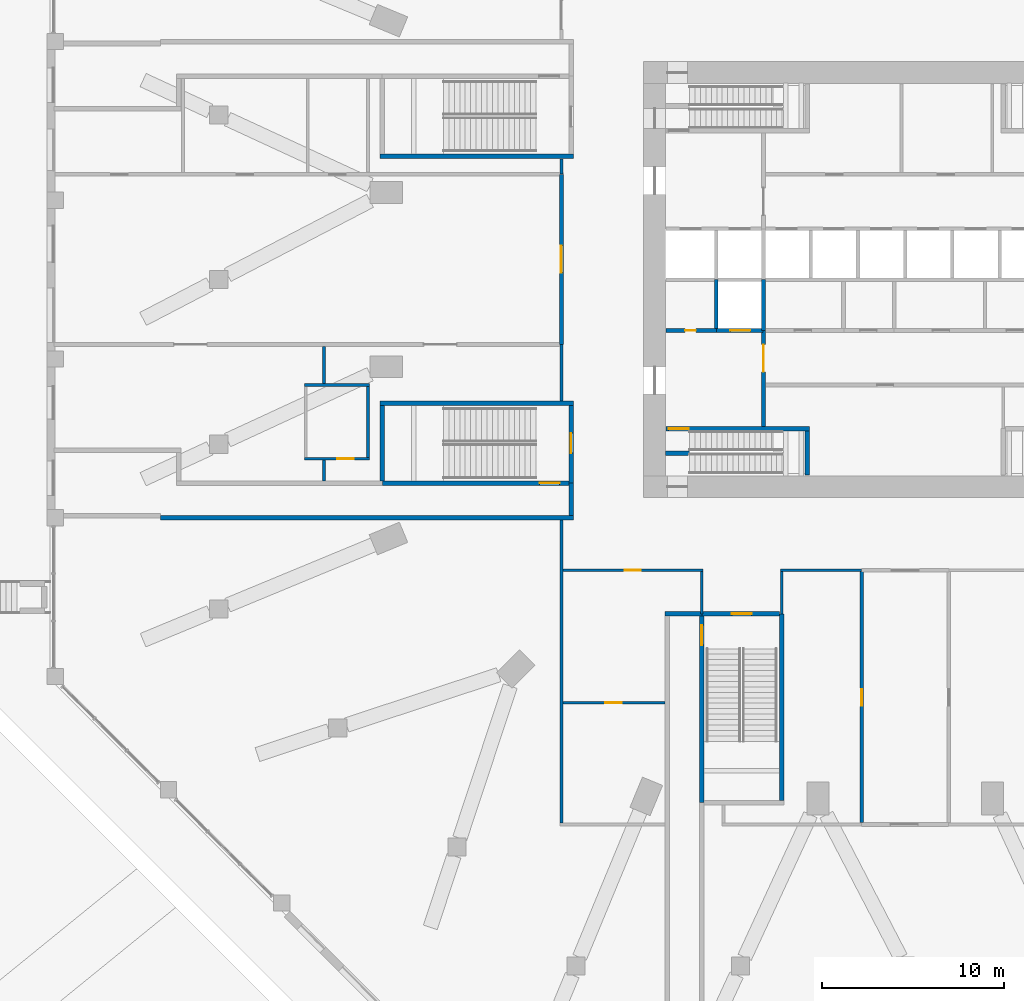
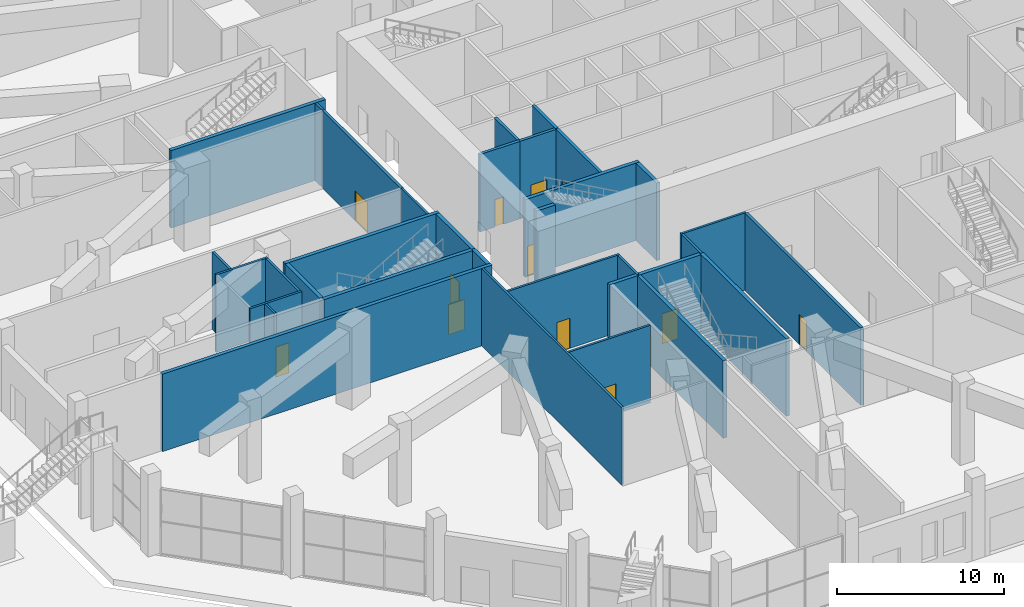
# One storey, part 21 of 36: 34 walls, 13 doors, 13 openings.
"""IFC4 building model written with IfcOpenShell, lengths in metres."""

from ifc_helpers import new_model, si_unit, direction, frame, frame_2d, origin, place, context, subcontext, project, spatial, rectangle, extrude, material, layer, layer_set, type_object, element, fill, save


model = new_model("IFC4")

# Units and contexts
model_context = context("Model", 3, precision=1e-05, world=origin(), true_north=direction((0.0, 1.0)))
body_context = subcontext(model_context, "Body", "Model", "MODEL_VIEW")
ifc_project = project(units=[si_unit("LENGTHUNIT", "METRE"), si_unit("AREAUNIT", "SQUARE_METRE"), si_unit("VOLUMEUNIT", "CUBIC_METRE"), si_unit("PLANEANGLEUNIT", "RADIAN"), si_unit("MASSUNIT", "GRAM", prefix="KILO")], contexts=[model_context])

# Site, building, storey
site_placement = place(None, origin())
site = spatial("IfcSite", under=ifc_project, at=site_placement, CompositionType="ELEMENT")
building_placement = place(site_placement, origin())
building = spatial("IfcBuilding", under=site, at=building_placement, Name="Msitu Wima Residences", CompositionType="ELEMENT")
storey_placement = place(building_placement, origin())
storey = spatial("IfcBuildingStorey", under=building, at=storey_placement, Name="L00", CompositionType="ELEMENT", Elevation=0.0)

# Wall, opening, door
ifc_material_1 = material(Name="Plaster")
ifc_layer_1 = layer(ifc_material_1, 0.011962890625, Name="Plaster")
ifc_material_2 = material(Name="Concrete blockwork", Category="masonry")
ifc_layer_2 = layer(ifc_material_2, 0.176025390625, Name="Concrete blockwork")
ifc_layer_3 = layer(ifc_material_1, 0.011962890625, Name="Plaster")
ifc_layer_set_1 = layer_set([ifc_layer_1, ifc_layer_2, ifc_layer_3], Name="Concrete blockwork")
wall_type_1 = type_object("IfcWallType", Name="Corridor wall FW200", PredefinedType="PARTITIONING", material=ifc_layer_set_1)
wall_1_placement = place(storey_placement, frame((-18.927978515625, -3.5712890625, 0.0), z_axis=(0.0, 0.0, 1.0), x_axis=(0.0, 1.0, 0.0)))
wall_1 = element("IfcWall", 1, at=wall_1_placement, inside=storey, type_object=wall_type_1, Name="Corridor wall", PredefinedType="PARTITIONING", context=body_context, shape_type="SweptSolid", body=[
    extrude(rectangle(XDim=9.371337890625, YDim=0.199951171875, at=frame_2d((4.685546875, 0.0))), origin(), (0.0, 0.0, 1.0), 5.64990234375),
])
opening_1_placement = place(wall_1_placement, frame((3.949951171875, 0.0, 0.0)))
opening_1 = element("IfcOpeningElement", 2, at=opening_1_placement, cuts=wall_1, Name="Opening D00.050", PredefinedType="OPENING", context=body_context, shape_type="SweptSolid", body=[
    extrude(rectangle(XDim=1.5, YDim=2.199951171875, at=frame_2d((0.75, 1.10009765625))), frame((0.0, 0.10986328125, 0.0), z_axis=(0.0, -1.0, 0.0), x_axis=(1.0, 0.0, 0.0)), (0.0, 0.0, 1.0), 0.219970703125),
])
ifc_material_3 = material(Name="Timber double door", Category="wood")
door_type_1 = type_object("IfcDoorType", Name="Double door D04 1500x2200", OperationType="DOUBLE_DOOR_SINGLE_SWING", PredefinedType="DOOR", material=ifc_material_3)
door_1_placement = place(opening_1_placement, origin())
door_1 = element("IfcDoor", 3, at=door_1_placement, inside=storey, type_object=door_type_1, Name="Double door", OperationType="DOUBLE_DOOR_SINGLE_SWING", OverallHeight=2.199951171875, OverallWidth=1.5, PredefinedType="DOOR", context=body_context, shape_type="SweptSolid", body=[
    extrude(rectangle(XDim=1.5, YDim=2.199951171875, at=frame_2d((0.75, 1.10009765625))), frame((0.0, 0.02490234375, 0.0), z_axis=(0.0, -1.0, 0.0), x_axis=(1.0, 0.0, 0.0)), (0.0, 0.0, 1.0), 0.050048828125),
])
fill(opening_1, door_1)

wall_2_placement = place(storey_placement, frame((-7.800048828125, -8.074951171875, 0.0), z_axis=(0.0, 0.0, 1.0), x_axis=(0.0, 1.0, 0.0)))
wall_2 = element("IfcWall", 4, at=wall_2_placement, inside=storey, type_object=wall_type_1, Name="Corridor wall", PredefinedType="PARTITIONING", context=body_context, shape_type="SweptSolid", body=[
    extrude(rectangle(XDim=5.27490234375, YDim=0.199951171875, at=frame_2d((2.637451171875, 0.0))), origin(), (0.0, 0.0, 1.0), 5.64990234375),
])
opening_2_placement = place(wall_2_placement, frame((3.0, 0.0, 0.0)))
opening_2 = element("IfcOpeningElement", 5, at=opening_2_placement, cuts=wall_2, Name="Opening D00.026", PredefinedType="OPENING", context=body_context, shape_type="SweptSolid", body=[
    extrude(rectangle(XDim=1.5, YDim=2.39990234375, at=frame_2d((0.75, 1.199951171875))), frame((0.0, 0.10986328125, 0.0), z_axis=(0.0, -1.0, 0.0), x_axis=(1.0, 0.0, 0.0)), (0.0, 0.0, 1.0), 0.219970703125),
])
ifc_material_4 = material(Name="Steel framed glazed door, fire resisting", Category="steel")
door_type_2 = type_object("IfcDoorType", Name="Lobby door D07 1500x2400", OperationType="DOUBLE_DOOR_SINGLE_SWING", PredefinedType="DOOR", material=ifc_material_4)
door_2_placement = place(opening_2_placement, origin())
door_2 = element("IfcDoor", 6, at=door_2_placement, inside=storey, type_object=door_type_2, Name="Lobby door", OperationType="DOUBLE_DOOR_SINGLE_SWING", OverallHeight=2.39990234375, OverallWidth=1.5, PredefinedType="DOOR", context=body_context, shape_type="SweptSolid", body=[
    extrude(rectangle(XDim=1.5, YDim=2.39990234375, at=frame_2d((0.75, 1.199951171875))), frame((0.0, 0.02490234375, 0.0), z_axis=(0.0, -1.0, 0.0), x_axis=(1.0, 0.0, 0.0)), (0.0, 0.0, 1.0), 0.050048828125),
])
fill(opening_2, door_2)

wall_3_placement = place(storey_placement, frame((-2.39990234375, -29.89990234375, 0.0), z_axis=(0.0, 0.0, 1.0), x_axis=(0.0, 1.0, 0.0)))
wall_3 = element("IfcWall", 7, at=wall_3_placement, inside=storey, type_object=wall_type_1, Name="Corridor wall", PredefinedType="PARTITIONING", context=body_context, shape_type="SweptSolid", body=[
    extrude(rectangle(XDim=13.824951171875, YDim=0.199951171875, at=frame_2d((6.91259765625, 0.0))), origin(), (0.0, 0.0, 1.0), 5.64990234375),
])
opening_3_placement = place(wall_3_placement, frame((6.449951171875, 0.0, 0.0)))
opening_3 = element("IfcOpeningElement", 8, at=opening_3_placement, cuts=wall_3, Name="Opening D00.071", PredefinedType="OPENING", context=body_context, shape_type="SweptSolid", body=[
    extrude(rectangle(XDim=0.89990234375, YDim=2.199951171875, at=frame_2d((0.449951171875, 1.10009765625))), frame((0.0, 0.10986328125, 0.0), z_axis=(0.0, -1.0, 0.0), x_axis=(1.0, 0.0, 0.0)), (0.0, 0.0, 1.0), 0.219970703125),
])
ifc_material_5 = material(Name="Timber flush door", Category="wood")
door_type_3 = type_object("IfcDoorType", Name="Service door D05 900x2200", OperationType="SINGLE_SWING_LEFT", PredefinedType="DOOR", material=ifc_material_5)
door_3_placement = place(opening_3_placement, origin())
door_3 = element("IfcDoor", 9, at=door_3_placement, inside=storey, type_object=door_type_3, Name="Service door", OperationType="SINGLE_SWING_LEFT", OverallHeight=2.199951171875, OverallWidth=0.89990234375, PredefinedType="DOOR", context=body_context, shape_type="SweptSolid", body=[
    extrude(rectangle(XDim=0.89990234375, YDim=2.199951171875, at=frame_2d((0.449951171875, 1.10009765625))), frame((0.0, 0.02490234375, 0.0), z_axis=(0.0, -1.0, 0.0), x_axis=(1.0, 0.0, 0.0)), (0.0, 0.0, 1.0), 0.050048828125),
])
fill(opening_3, door_3)

ifc_layer_4 = layer(ifc_material_1, 0.011962890625, Name="Plaster")
ifc_layer_5 = layer(ifc_material_2, 0.1259765625, Name="Concrete blockwork")
ifc_layer_6 = layer(ifc_material_1, 0.011962890625, Name="Plaster")
ifc_layer_set_2 = layer_set([ifc_layer_4, ifc_layer_5, ifc_layer_6], Name="Concrete blockwork")
wall_type_2 = type_object("IfcWallType", Name="Partition PW150", PredefinedType="PARTITIONING", material=ifc_layer_set_2)
wall_4_placement = place(storey_placement, frame((-33.074951171875, -9.864013671875, 0.0), z_axis=(0.0, 0.0, 1.0), x_axis=(1.0, 0.0, 0.0)))
wall_4 = element("IfcWall", 10, at=wall_4_placement, inside=storey, type_object=wall_type_2, Name="Partition", PredefinedType="PARTITIONING", context=body_context, shape_type="SweptSolid", body=[
    extrude(rectangle(XDim=3.574951171875, YDim=0.14990234375, at=frame_2d((1.78759765625, 0.0))), origin(), (0.0, 0.0, 1.0), 5.64990234375),
])
opening_4_placement = place(wall_4_placement, frame((1.800048828125, 0.0, 0.0)))
opening_4 = element("IfcOpeningElement", 11, at=opening_4_placement, cuts=wall_4, Name="Opening D00.066", PredefinedType="OPENING", context=body_context, shape_type="SweptSolid", body=[
    extrude(rectangle(XDim=0.89990234375, YDim=2.199951171875, at=frame_2d((0.449951171875, 1.10009765625))), frame((0.0, 0.0849609375, 0.0), z_axis=(0.0, -1.0, 0.0), x_axis=(1.0, 0.0, 0.0)), (0.0, 0.0, 1.0), 0.169921875),
])
ifc_material_6 = material(Name="Timber flush door, moisture resistant", Category="wood")
door_type_4 = type_object("IfcDoorType", Name="Bathroom door D03 900x2200", OperationType="SINGLE_SWING_LEFT", PredefinedType="DOOR", material=ifc_material_6)
door_4_placement = place(opening_4_placement, origin())
door_4 = element("IfcDoor", 12, at=door_4_placement, inside=storey, type_object=door_type_4, Name="Bathroom door", OperationType="SINGLE_SWING_RIGHT", OverallHeight=2.199951171875, OverallWidth=0.89990234375, PredefinedType="DOOR", context=body_context, shape_type="SweptSolid", body=[
    extrude(rectangle(XDim=0.89990234375, YDim=2.199951171875, at=frame_2d((0.449951171875, 1.10009765625))), frame((0.0, 0.02490234375, 0.0), z_axis=(0.0, -1.0, 0.0), x_axis=(1.0, 0.0, 0.0)), (0.0, 0.0, 1.0), 0.050048828125),
])
fill(opening_4, door_4)

# Walls
wall_5_placement = place(storey_placement, frame((-33.074951171875, -5.800048828125, 0.0), z_axis=(0.0, 0.0, 1.0), x_axis=(1.0, 0.0, 0.0)))
element("IfcWall", 13, at=wall_5_placement, inside=storey, type_object=wall_type_2, Name="Partition", PredefinedType="PARTITIONING", context=body_context, shape_type="SweptSolid", body=[
    extrude(rectangle(XDim=3.574951171875, YDim=0.14990234375, at=frame_2d((1.78759765625, 0.0))), origin(), (0.0, 0.0, 1.0), 5.64990234375),
])
wall_6_placement = place(storey_placement, frame((-32.0, -11.074951171875, 0.0), z_axis=(0.0, 0.0, 1.0), x_axis=(0.0, 1.0, 0.0)))
element("IfcWall", 14, at=wall_6_placement, inside=storey, type_object=wall_type_2, Name="Partition", PredefinedType="PARTITIONING", context=body_context, shape_type="SweptSolid", body=[
    extrude(rectangle(XDim=1.135986328125, YDim=0.14990234375, at=frame_2d((0.56787109375, 0.0))), origin(), (0.0, 0.0, 1.0), 5.64990234375),
])
wall_7_placement = place(storey_placement, frame((-32.0, -5.72509765625, 0.0), z_axis=(0.0, 0.0, 1.0), x_axis=(0.0, 1.0, 0.0)))
element("IfcWall", 15, at=wall_7_placement, inside=storey, type_object=wall_type_2, Name="Partition", PredefinedType="PARTITIONING", context=body_context, shape_type="SweptSolid", body=[
    extrude(rectangle(XDim=2.053955078125, YDim=0.14990234375, at=frame_2d((1.02685546875, 0.0))), origin(), (0.0, 0.0, 1.0), 5.64990234375),
])
wall_8_placement = place(storey_placement, frame((-29.574951171875, -9.7890625, 0.0), z_axis=(0.0, 0.0, 1.0), x_axis=(0.0, 1.0, 0.0)))
element("IfcWall", 16, at=wall_8_placement, inside=storey, type_object=wall_type_2, Name="Partition", PredefinedType="PARTITIONING", context=body_context, shape_type="SweptSolid", body=[
    extrude(rectangle(XDim=3.9140625, YDim=0.14990234375, at=frame_2d((1.95703125, 0.0))), origin(), (0.0, 0.0, 1.0), 5.64990234375),
])
wall_9_placement = place(storey_placement, frame((-18.927978515625, -29.925048828125, 0.0), z_axis=(0.0, 0.0, 1.0), x_axis=(0.0, 1.0, 0.0)))
element("IfcWall", 17, at=wall_9_placement, inside=storey, type_object=wall_type_2, Name="Partition", PredefinedType="PARTITIONING", context=body_context, shape_type="SweptSolid", body=[
    extrude(rectangle(XDim=16.699951171875, YDim=0.14990234375, at=frame_2d((8.35009765625, 0.0))), origin(), (0.0, 0.0, 1.0), 5.64990234375),
])

# Wall, opening, door
wall_10_placement = place(storey_placement, frame((-18.85302734375, -23.300048828125, 0.0), z_axis=(0.0, 0.0, 1.0), x_axis=(1.0, 0.0, 0.0)))
wall_10 = element("IfcWall", 18, at=wall_10_placement, inside=storey, type_object=wall_type_2, Name="Partition", PredefinedType="PARTITIONING", context=body_context, shape_type="SweptSolid", body=[
    extrude(rectangle(XDim=5.6279296875, YDim=0.14990234375, at=frame_2d((2.81396484375, 0.0))), origin(), (0.0, 0.0, 1.0), 5.64990234375),
])
opening_5_placement = place(wall_10_placement, frame((2.35009765625, 0.0, 0.0)))
opening_5 = element("IfcOpeningElement", 19, at=opening_5_placement, cuts=wall_10, Name="Opening D00.070", PredefinedType="OPENING", context=body_context, shape_type="SweptSolid", body=[
    extrude(rectangle(XDim=0.89990234375, YDim=2.199951171875, at=frame_2d((0.449951171875, 1.10009765625))), frame((0.0, 0.0849609375, 0.0), z_axis=(0.0, -1.0, 0.0), x_axis=(1.0, 0.0, 0.0)), (0.0, 0.0, 1.0), 0.169921875),
])
door_5_placement = place(opening_5_placement, origin())
door_5 = element("IfcDoor", 20, at=door_5_placement, inside=storey, type_object=door_type_3, Name="Service door", OperationType="SINGLE_SWING_RIGHT", OverallHeight=2.199951171875, OverallWidth=0.89990234375, PredefinedType="DOOR", context=body_context, shape_type="SweptSolid", body=[
    extrude(rectangle(XDim=0.89990234375, YDim=2.199951171875, at=frame_2d((0.449951171875, 1.10009765625))), frame((0.0, 0.02490234375, 0.0), z_axis=(0.0, -1.0, 0.0), x_axis=(1.0, 0.0, 0.0)), (0.0, 0.0, 1.0), 0.050048828125),
])
fill(opening_5, door_5)

wall_11_placement = place(storey_placement, frame((-18.85302734375, -16.0, 0.0), z_axis=(0.0, 0.0, 1.0), x_axis=(1.0, 0.0, 0.0)))
wall_11 = element("IfcWall", 21, at=wall_11_placement, inside=storey, type_object=wall_type_2, Name="Partition", PredefinedType="PARTITIONING", context=body_context, shape_type="SweptSolid", body=[
    extrude(rectangle(XDim=7.72802734375, YDim=0.14990234375, at=frame_2d((3.864013671875, 0.0))), origin(), (0.0, 0.0, 1.0), 5.64990234375),
])
opening_6_placement = place(wall_11_placement, frame((3.39990234375, 0.0, 0.0)))
opening_6 = element("IfcOpeningElement", 22, at=opening_6_placement, cuts=wall_11, Name="Opening D00.069", PredefinedType="OPENING", context=body_context, shape_type="SweptSolid", body=[
    extrude(rectangle(XDim=0.89990234375, YDim=2.199951171875, at=frame_2d((0.449951171875, 1.10009765625))), frame((0.0, 0.0849609375, 0.0), z_axis=(0.0, -1.0, 0.0), x_axis=(1.0, 0.0, 0.0)), (0.0, 0.0, 1.0), 0.169921875),
])
door_6_placement = place(opening_6_placement, origin())
door_6 = element("IfcDoor", 23, at=door_6_placement, inside=storey, type_object=door_type_3, Name="Service door", OperationType="SINGLE_SWING_LEFT", OverallHeight=2.199951171875, OverallWidth=0.89990234375, PredefinedType="DOOR", context=body_context, shape_type="SweptSolid", body=[
    extrude(rectangle(XDim=0.89990234375, YDim=2.199951171875, at=frame_2d((0.449951171875, 1.10009765625))), frame((0.0, 0.02490234375, 0.0), z_axis=(0.0, -1.0, 0.0), x_axis=(1.0, 0.0, 0.0)), (0.0, 0.0, 1.0), 0.050048828125),
])
fill(opening_6, door_6)

# Walls
wall_12_placement = place(storey_placement, frame((-18.927978515625, -6.675048828125, 0.0), z_axis=(0.0, 0.0, 1.0), x_axis=(0.0, 1.0, 0.0)))
element("IfcWall", 24, at=wall_12_placement, inside=storey, type_object=wall_type_2, Name="Partition", PredefinedType="PARTITIONING", context=body_context, shape_type="SweptSolid", body=[
    extrude(rectangle(XDim=3.103759765625, YDim=0.14990234375, at=frame_2d((1.5517578125, 0.0))), origin(), (0.0, 0.0, 1.0), 5.64990234375),
])
wall_13_placement = place(storey_placement, frame((-18.927978515625, 5.820068359375, 0.0), z_axis=(0.0, 0.0, 1.0), x_axis=(0.0, 1.0, 0.0)))
element("IfcWall", 25, at=wall_13_placement, inside=storey, type_object=wall_type_2, Name="Partition", PredefinedType="PARTITIONING", context=body_context, shape_type="SweptSolid", body=[
    extrude(rectangle(XDim=0.8349609375, YDim=0.14990234375, at=frame_2d((0.41748046875, 0.0))), origin(), (0.0, 0.0, 1.0), 5.64990234375),
])
for number, where, z_axis, x_axis, name in (
    (26, (-11.199951171875, -18.39990234375, 0.0), (0.0, 0.0, 1.0), (0.0, 1.0, 0.0), "Partition"),
    (27, (-6.800048828125, -18.39990234375, 0.0), (0.0, 0.0, 1.0), (0.0, 1.0, 0.0), "Partition"),
):
    element("IfcWall", number, at=place(storey_placement, frame(where, z_axis=z_axis, x_axis=x_axis)), inside=storey, type_object=wall_type_2, Name=name, PredefinedType="PARTITIONING", context=body_context, shape_type="SweptSolid", body=[
        extrude(rectangle(XDim=2.324951171875, YDim=0.14990234375, at=frame_2d((1.16259765625, 0.0))), origin(), (0.0, 0.0, 1.0), 5.64990234375),
    ])
wall_14_placement = place(storey_placement, frame((-6.875, -16.0, 0.0), z_axis=(0.0, 0.0, 1.0), x_axis=(1.0, 0.0, 0.0)))
element("IfcWall", 28, at=wall_14_placement, inside=storey, type_object=wall_type_2, Name="Partition", PredefinedType="PARTITIONING", context=body_context, shape_type="SweptSolid", body=[
    extrude(rectangle(XDim=4.47509765625, YDim=0.14990234375, at=frame_2d((2.237548828125, 0.0))), origin(), (0.0, 0.0, 1.0), 5.64990234375),
])

# Wall, opening, door
ifc_layer_7 = layer(ifc_material_1, 0.011962890625, Name="Plaster")
ifc_material_7 = material(Name="Reinforced concrete blockwork", Category="masonry")
ifc_layer_8 = layer(ifc_material_7, 0.176025390625, Name="Reinforced concrete blockwork")
ifc_layer_9 = layer(ifc_material_1, 0.011962890625, Name="Plaster")
ifc_layer_set_3 = layer_set([ifc_layer_7, ifc_layer_8, ifc_layer_9], Name="Reinforced concrete blockwork")
wall_type_3 = type_object("IfcWallType", Name="Plant and riser wall PL200", PredefinedType="PARTITIONING", material=ifc_layer_set_3)
wall_15_placement = place(storey_placement, frame((-13.169921875, -2.800048828125, 0.0), z_axis=(0.0, 0.0, 1.0), x_axis=(1.0, 0.0, 0.0)))
wall_15 = element("IfcWall", 29, at=wall_15_placement, inside=storey, type_object=wall_type_3, Name="Plant and riser wall", PredefinedType="PARTITIONING", context=body_context, shape_type="SweptSolid", body=[
    extrude(rectangle(XDim=2.7900390625, YDim=0.199951171875, at=frame_2d((1.39501953125, 0.0))), origin(), (0.0, 0.0, 1.0), 5.64990234375),
])
opening_7_placement = place(wall_15_placement, frame((1.050048828125, 0.0, 0.0)))
opening_7 = element("IfcOpeningElement", 30, at=opening_7_placement, cuts=wall_15, Name="Opening D00.033", PredefinedType="OPENING", context=body_context, shape_type="SweptSolid", body=[
    extrude(rectangle(XDim=0.60009765625, YDim=2.0, at=frame_2d((0.300048828125, 1.0))), frame((0.0, 0.10986328125, 0.0), z_axis=(0.0, -1.0, 0.0), x_axis=(1.0, 0.0, 0.0)), (0.0, 0.0, 1.0), 0.219970703125),
])
ifc_material_8 = material(Name="Steel access door, fire resisting", Category="steel")
door_type_5 = type_object("IfcDoorType", Name="Riser access door D08 600x2000", OperationType="SINGLE_SWING_LEFT", PredefinedType="DOOR", material=ifc_material_8)
door_7_placement = place(opening_7_placement, origin())
door_7 = element("IfcDoor", 31, at=door_7_placement, inside=storey, type_object=door_type_5, Name="Riser access door", OperationType="SINGLE_SWING_RIGHT", OverallHeight=2.0, OverallWidth=0.60009765625, PredefinedType="DOOR", context=body_context, shape_type="SweptSolid", body=[
    extrude(rectangle(XDim=0.60009765625, YDim=2.0, at=frame_2d((0.300048828125, 1.0))), frame((0.0, 0.02490234375, 0.0), z_axis=(0.0, -1.0, 0.0), x_axis=(1.0, 0.0, 0.0)), (0.0, 0.0, 1.0), 0.050048828125),
])
fill(opening_7, door_7)

# Wall
ifc_material_9 = material(Name="Fire-rated board")
ifc_layer_10 = layer(ifc_material_9, 0.02490234375, Name="Fire-rated board")
ifc_material_10 = material(Name="Light-gauge stud framing with mineral wool")
ifc_layer_11 = layer(ifc_material_10, 0.14990234375, Name="Light-gauge stud framing with mineral wool")
ifc_layer_12 = layer(ifc_material_9, 0.02490234375, Name="Fire-rated board")
ifc_layer_set_4 = layer_set([ifc_layer_10, ifc_layer_11, ifc_layer_12], Name="Light-gauge stud framing with mineral wool")
wall_type_4 = type_object("IfcWallType", Name="Shaft wall SH200", PredefinedType="PARTITIONING", material=ifc_layer_set_4)
wall_16_placement = place(storey_placement, frame((-10.39990234375, -2.699951171875, 0.0), z_axis=(0.0, 0.0, 1.0), x_axis=(0.0, 1.0, 0.0)))
element("IfcWall", 32, at=wall_16_placement, inside=storey, type_object=wall_type_4, Name="Shaft wall", PredefinedType="PARTITIONING", context=body_context, shape_type="SweptSolid", body=[
    extrude(rectangle(XDim=2.699951171875, YDim=0.199951171875, at=frame_2d((1.35009765625, 0.0))), origin(), (0.0, 0.0, 1.0), 5.64990234375),
])

# Wall, opening, door
wall_17_placement = place(storey_placement, frame((-10.3798828125, -2.800048828125, 0.0), z_axis=(0.0, 0.0, 1.0), x_axis=(1.0, 0.0, 0.0)))
wall_17 = element("IfcWall", 33, at=wall_17_placement, inside=storey, type_object=wall_type_4, Name="Shaft wall", PredefinedType="PARTITIONING", context=body_context, shape_type="SweptSolid", body=[
    extrude(rectangle(XDim=2.559814453125, YDim=0.199951171875, at=frame_2d((1.27978515625, 0.0))), origin(), (0.0, 0.0, 1.0), 5.64990234375),
])
opening_8_placement = place(wall_17_placement, frame((0.75, 0.0, 0.0)))
opening_8 = element("IfcOpeningElement", 34, at=opening_8_placement, cuts=wall_17, Name="Opening LD", PredefinedType="OPENING", context=body_context, shape_type="SweptSolid", body=[
    extrude(rectangle(XDim=1.10009765625, YDim=2.199951171875, at=frame_2d((0.550048828125, 1.10009765625))), frame((0.0, 0.10986328125, 0.0), z_axis=(0.0, -1.0, 0.0), x_axis=(1.0, 0.0, 0.0)), (0.0, 0.0, 1.0), 0.219970703125),
])
ifc_material_11 = material(Name="Stainless steel centre-opening landing door, rated", Category="steel")
door_type_6 = type_object("IfcDoorType", Name="Lift landing door LD 1100x2200", OperationType="DOUBLE_DOOR_SLIDING", PredefinedType="DOOR", material=ifc_material_11)
door_8_placement = place(opening_8_placement, origin())
door_8 = element("IfcDoor", 35, at=door_8_placement, inside=storey, type_object=door_type_6, Name="Lift landing door LD3", OperationType="DOUBLE_DOOR_SLIDING", OverallHeight=2.199951171875, OverallWidth=1.10009765625, PredefinedType="DOOR", context=body_context, shape_type="SweptSolid", body=[
    extrude(rectangle(XDim=1.10009765625, YDim=2.199951171875, at=frame_2d((0.550048828125, 1.10009765625))), frame((0.0, 0.02490234375, 0.0), z_axis=(0.0, -1.0, 0.0), x_axis=(1.0, 0.0, 0.0)), (0.0, 0.0, 1.0), 0.050048828125),
])
fill(opening_8, door_8)

# Walls
wall_18_placement = place(storey_placement, frame((-7.800048828125, -2.800048828125, 0.0), z_axis=(0.0, 0.0, 1.0), x_axis=(0.0, 1.0, 0.0)))
element("IfcWall", 36, at=wall_18_placement, inside=storey, type_object=wall_type_4, Name="Shaft wall", PredefinedType="PARTITIONING", context=body_context, shape_type="SweptSolid", body=[
    extrude(rectangle(XDim=2.800048828125, YDim=0.199951171875, at=frame_2d((1.39990234375, 0.0))), origin(), (0.0, 0.0, 1.0), 5.64990234375),
])
ifc_material_12 = material(Name="Concrete C50/60", Category="concrete")
ifc_layer_13 = layer(ifc_material_12, 0.25)
ifc_layer_set_5 = layer_set([ifc_layer_13], Name="Concrete C50/60")
wall_type_5 = type_object("IfcWallType", Name="Stair enclosure wall SW250", PredefinedType="SHEAR", material=ifc_layer_set_5)
wall_19_placement = place(storey_placement, frame((-28.800048828125, -11.074951171875, 0.0), z_axis=(0.0, 0.0, 1.0), x_axis=(0.0, 1.0, 0.0)))
element("IfcWall", 37, at=wall_19_placement, inside=storey, type_object=wall_type_5, Name="Stair enclosure wall", PredefinedType="SHEAR", context=body_context, shape_type="SweptSolid", body=[
    extrude(rectangle(XDim=4.14990234375, YDim=0.25, at=frame_2d((2.074951171875, 0.0))), origin(), (0.0, 0.0, 1.0), 5.64990234375),
])

# Wall, opening, door
wall_20_placement = place(storey_placement, frame((-28.780029296875, -11.199951171875, 0.0), z_axis=(0.0, 0.0, 1.0), x_axis=(1.0, 0.0, 0.0)))
wall_20 = element("IfcWall", 38, at=wall_20_placement, inside=storey, type_object=wall_type_5, Name="Stair enclosure wall", PredefinedType="SHEAR", context=body_context, shape_type="SweptSolid", body=[
    extrude(rectangle(XDim=10.255126953125, YDim=0.25, at=frame_2d((5.12744140625, 0.0))), origin(), (0.0, 0.0, 1.0), 5.64990234375),
])
opening_9_placement = place(wall_20_placement, frame((8.64990234375, 0.0, 0.0)))
opening_9 = element("IfcOpeningElement", 39, at=opening_9_placement, cuts=wall_20, Name="Opening D00.085", PredefinedType="OPENING", context=body_context, shape_type="SweptSolid", body=[
    extrude(rectangle(XDim=1.10009765625, YDim=2.199951171875, at=frame_2d((0.550048828125, 1.10009765625))), frame((0.0, 0.135009765625, 0.0), z_axis=(0.0, -1.0, 0.0), x_axis=(1.0, 0.0, 0.0)), (0.0, 0.0, 1.0), 0.27001953125),
])
ifc_material_13 = material(Name="Steel door, fire resisting, panic bar", Category="steel")
door_type_7 = type_object("IfcDoorType", Name="Stair door D13 1100x2200", OperationType="SINGLE_SWING_LEFT", PredefinedType="DOOR", material=ifc_material_13)
door_9_placement = place(opening_9_placement, origin())
door_9 = element("IfcDoor", 40, at=door_9_placement, inside=storey, type_object=door_type_7, Name="Stair door", OperationType="SINGLE_SWING_LEFT", OverallHeight=2.199951171875, OverallWidth=1.10009765625, PredefinedType="DOOR", context=body_context, shape_type="SweptSolid", body=[
    extrude(rectangle(XDim=1.10009765625, YDim=2.199951171875, at=frame_2d((0.550048828125, 1.10009765625))), frame((0.0, 0.02490234375, 0.0), z_axis=(0.0, -1.0, 0.0), x_axis=(1.0, 0.0, 0.0)), (0.0, 0.0, 1.0), 0.050048828125),
])
fill(opening_9, door_9)

# Walls
for number, where, z_axis, x_axis, name in (
    (41, (-28.925048828125, -6.800048828125, 0.0), (0.0, 0.0, 1.0), (1.0, 0.0, 0.0), "Stair enclosure wall"),
    (42, (-28.925048828125, 6.800048828125, 0.0), (0.0, 0.0, 1.0), (1.0, 0.0, 0.0), "Stair enclosure wall"),
):
    element("IfcWall", number, at=place(storey_placement, frame(where, z_axis=z_axis, x_axis=x_axis)), inside=storey, type_object=wall_type_5, Name=name, PredefinedType="SHEAR", context=body_context, shape_type="SweptSolid", body=[
        extrude(rectangle(XDim=10.650146484375, YDim=0.25, at=frame_2d((5.3251953125, 0.0))), origin(), (0.0, 0.0, 1.0), 5.64990234375),
    ])

# Wall, opening, door
wall_21_placement = place(storey_placement, frame((-18.39990234375, -11.199951171875, 0.0), z_axis=(0.0, 0.0, 1.0), x_axis=(0.0, 1.0, 0.0)))
wall_21 = element("IfcWall", 43, at=wall_21_placement, inside=storey, type_object=wall_type_5, Name="Stair enclosure wall", PredefinedType="SHEAR", context=body_context, shape_type="SweptSolid", body=[
    extrude(rectangle(XDim=4.27490234375, YDim=0.25, at=frame_2d((2.137451171875, 0.0))), origin(), (0.0, 0.0, 1.0), 5.64990234375),
])
opening_10_placement = place(wall_21_placement, frame((1.64990234375, 0.0, 0.0)))
opening_10 = element("IfcOpeningElement", 44, at=opening_10_placement, cuts=wall_21, Name="Opening D00.084", PredefinedType="OPENING", context=body_context, shape_type="SweptSolid", body=[
    extrude(rectangle(XDim=1.10009765625, YDim=2.199951171875, at=frame_2d((0.550048828125, 1.10009765625))), frame((0.0, 0.135009765625, 0.0), z_axis=(0.0, -1.0, 0.0), x_axis=(1.0, 0.0, 0.0)), (0.0, 0.0, 1.0), 0.27001953125),
])
door_10_placement = place(opening_10_placement, origin())
door_10 = element("IfcDoor", 45, at=door_10_placement, inside=storey, type_object=door_type_7, Name="Stair door", OperationType="SINGLE_SWING_LEFT", OverallHeight=2.199951171875, OverallWidth=1.10009765625, PredefinedType="DOOR", context=body_context, shape_type="SweptSolid", body=[
    extrude(rectangle(XDim=1.10009765625, YDim=2.199951171875, at=frame_2d((0.550048828125, 1.10009765625))), frame((0.0, 0.02490234375, 0.0), z_axis=(0.0, -1.0, 0.0), x_axis=(1.0, 0.0, 0.0)), (0.0, 0.0, 1.0), 0.050048828125),
])
fill(opening_10, door_10)

wall_22_placement = place(storey_placement, frame((-13.169921875, -8.199951171875, 0.0), z_axis=(0.0, 0.0, 1.0), x_axis=(1.0, 0.0, 0.0)))
wall_22 = element("IfcWall", 46, at=wall_22_placement, inside=storey, type_object=wall_type_5, Name="Stair enclosure wall", PredefinedType="SHEAR", context=body_context, shape_type="SweptSolid", body=[
    extrude(rectangle(XDim=7.89501953125, YDim=0.25, at=frame_2d((3.947509765625, 0.0))), origin(), (0.0, 0.0, 1.0), 5.64990234375),
])
opening_11_placement = place(wall_22_placement, frame((0.14990234375, 0.0, 0.0)))
opening_11 = element("IfcOpeningElement", 47, at=opening_11_placement, cuts=wall_22, Name="Opening D00.039", PredefinedType="OPENING", context=body_context, shape_type="SweptSolid", body=[
    extrude(rectangle(XDim=1.10009765625, YDim=2.199951171875, at=frame_2d((0.550048828125, 1.10009765625))), frame((0.0, 0.135009765625, 0.0), z_axis=(0.0, -1.0, 0.0), x_axis=(1.0, 0.0, 0.0)), (0.0, 0.0, 1.0), 0.27001953125),
])
door_type_8 = type_object("IfcDoorType", Name="Stair door D06 1100x2200", OperationType="SINGLE_SWING_LEFT", PredefinedType="DOOR", material=ifc_material_13)
door_11_placement = place(opening_11_placement, origin())
door_11 = element("IfcDoor", 48, at=door_11_placement, inside=storey, type_object=door_type_8, Name="Stair door", OperationType="SINGLE_SWING_LEFT", OverallHeight=2.199951171875, OverallWidth=1.10009765625, PredefinedType="DOOR", context=body_context, shape_type="SweptSolid", body=[
    extrude(rectangle(XDim=1.10009765625, YDim=2.199951171875, at=frame_2d((0.550048828125, 1.10009765625))), frame((0.0, 0.02490234375, 0.0), z_axis=(0.0, -1.0, 0.0), x_axis=(1.0, 0.0, 0.0)), (0.0, 0.0, 1.0), 0.050048828125),
])
fill(opening_11, door_11)

wall_23_placement = place(storey_placement, frame((-11.199951171875, -28.780029296875, 0.0), z_axis=(0.0, 0.0, 1.0), x_axis=(0.0, 1.0, 0.0)))
wall_23 = element("IfcWall", 49, at=wall_23_placement, inside=storey, type_object=wall_type_5, Name="Stair enclosure wall", PredefinedType="SHEAR", context=body_context, shape_type="SweptSolid", body=[
    extrude(rectangle(XDim=10.380126953125, YDim=0.25, at=frame_2d((5.18994140625, 0.0))), origin(), (0.0, 0.0, 1.0), 5.64990234375),
])
opening_12_placement = place(wall_23_placement, frame((8.64990234375, 0.0, 0.0)))
opening_12 = element("IfcOpeningElement", 50, at=opening_12_placement, cuts=wall_23, Name="Opening D00.091", PredefinedType="OPENING", context=body_context, shape_type="SweptSolid", body=[
    extrude(rectangle(XDim=1.10009765625, YDim=2.199951171875, at=frame_2d((0.550048828125, 1.10009765625))), frame((0.0, 0.135009765625, 0.0), z_axis=(0.0, -1.0, 0.0), x_axis=(1.0, 0.0, 0.0)), (0.0, 0.0, 1.0), 0.27001953125),
])
door_12_placement = place(opening_12_placement, origin())
door_12 = element("IfcDoor", 51, at=door_12_placement, inside=storey, type_object=door_type_7, Name="Stair door", OperationType="SINGLE_SWING_RIGHT", OverallHeight=2.199951171875, OverallWidth=1.10009765625, PredefinedType="DOOR", context=body_context, shape_type="SweptSolid", body=[
    extrude(rectangle(XDim=1.10009765625, YDim=2.199951171875, at=frame_2d((0.550048828125, 1.10009765625))), frame((0.0, 0.02490234375, 0.0), z_axis=(0.0, -1.0, 0.0), x_axis=(1.0, 0.0, 0.0)), (0.0, 0.0, 1.0), 0.050048828125),
])
fill(opening_12, door_12)

wall_24_placement = place(storey_placement, frame((-11.199951171875, -18.39990234375, 0.0), z_axis=(0.0, 0.0, 1.0), x_axis=(1.0, 0.0, 0.0)))
wall_24 = element("IfcWall", 52, at=wall_24_placement, inside=storey, type_object=wall_type_5, Name="Stair enclosure wall", PredefinedType="SHEAR", context=body_context, shape_type="SweptSolid", body=[
    extrude(rectangle(XDim=4.27490234375, YDim=0.25, at=frame_2d((2.137451171875, 0.0))), origin(), (0.0, 0.0, 1.0), 5.64990234375),
])
opening_13_placement = place(wall_24_placement, frame((1.64990234375, 0.0, 0.0)))
opening_13 = element("IfcOpeningElement", 53, at=opening_13_placement, cuts=wall_24, Name="Opening D00.090", PredefinedType="OPENING", context=body_context, shape_type="SweptSolid", body=[
    extrude(rectangle(XDim=1.10009765625, YDim=2.199951171875, at=frame_2d((0.550048828125, 1.10009765625))), frame((0.0, 0.135009765625, 0.0), z_axis=(0.0, -1.0, 0.0), x_axis=(1.0, 0.0, 0.0)), (0.0, 0.0, 1.0), 0.27001953125),
])
door_13_placement = place(opening_13_placement, origin())
door_13 = element("IfcDoor", 54, at=door_13_placement, inside=storey, type_object=door_type_7, Name="Stair door", OperationType="SINGLE_SWING_RIGHT", OverallHeight=2.199951171875, OverallWidth=1.10009765625, PredefinedType="DOOR", context=body_context, shape_type="SweptSolid", body=[
    extrude(rectangle(XDim=1.10009765625, YDim=2.199951171875, at=frame_2d((0.550048828125, 1.10009765625))), frame((0.0, 0.02490234375, 0.0), z_axis=(0.0, -1.0, 0.0), x_axis=(1.0, 0.0, 0.0)), (0.0, 0.0, 1.0), 0.050048828125),
])
fill(opening_13, door_13)

# Walls
wall_25_placement = place(storey_placement, frame((-6.800048828125, -28.675048828125, 0.0), z_axis=(0.0, 0.0, 1.0), x_axis=(0.0, 1.0, 0.0)))
element("IfcWall", 55, at=wall_25_placement, inside=storey, type_object=wall_type_5, Name="Stair enclosure wall", PredefinedType="SHEAR", context=body_context, shape_type="SweptSolid", body=[
    extrude(rectangle(XDim=10.275146484375, YDim=0.25, at=frame_2d((5.1376953125, 0.0))), origin(), (0.0, 0.0, 1.0), 5.64990234375),
])
wall_26_placement = place(storey_placement, frame((-5.39990234375, -10.77001953125, 0.0), z_axis=(0.0, 0.0, 1.0), x_axis=(0.0, 1.0, 0.0)))
element("IfcWall", 56, at=wall_26_placement, inside=storey, type_object=wall_type_5, Name="Stair enclosure wall", PredefinedType="SHEAR", context=body_context, shape_type="SweptSolid", body=[
    extrude(rectangle(XDim=2.445068359375, YDim=0.25, at=frame_2d((1.22265625, 0.0))), origin(), (0.0, 0.0, 1.0), 5.64990234375),
])
ifc_layer_14 = layer(ifc_material_1, 0.011962890625, Name="Plaster")
ifc_layer_15 = layer(ifc_material_7, 0.22607421875, Name="Reinforced concrete blockwork")
ifc_layer_16 = layer(ifc_material_1, 0.011962890625, Name="Plaster")
ifc_layer_set_6 = layer_set([ifc_layer_14, ifc_layer_15, ifc_layer_16], Name="Reinforced concrete blockwork")
wall_type_6 = type_object("IfcWallType", Name="Stair enclosure wall SW250B", PredefinedType="PARTITIONING", material=ifc_layer_set_6)
wall_27_placement = place(storey_placement, frame((-41.0, -13.10009765625, 0.0), z_axis=(0.0, 0.0, 1.0), x_axis=(1.0, 0.0, 0.0)))
element("IfcWall", 57, at=wall_27_placement, inside=storey, type_object=wall_type_6, Name="Stair enclosure wall", PredefinedType="PARTITIONING", context=body_context, shape_type="SweptSolid", body=[
    extrude(rectangle(XDim=22.72509765625, YDim=0.25, at=frame_2d((11.362548828125, 0.0))), origin(), (0.0, 0.0, 1.0), 5.64990234375),
])
wall_28_placement = place(storey_placement, frame((-18.39990234375, -12.97509765625, 0.0), z_axis=(0.0, 0.0, 1.0), x_axis=(0.0, 1.0, 0.0)))
element("IfcWall", 58, at=wall_28_placement, inside=storey, type_object=wall_type_6, Name="Stair enclosure wall", PredefinedType="PARTITIONING", context=body_context, shape_type="SweptSolid", body=[
    extrude(rectangle(XDim=1.775146484375, YDim=0.25, at=frame_2d((0.8876953125, 0.0))), origin(), (0.0, 0.0, 1.0), 5.64990234375),
])
wall_29_placement = place(storey_placement, frame((-13.22509765625, -18.39990234375, 0.0), z_axis=(0.0, 0.0, 1.0), x_axis=(1.0, 0.0, 0.0)))
element("IfcWall", 59, at=wall_29_placement, inside=storey, type_object=wall_type_6, Name="Stair enclosure wall", PredefinedType="PARTITIONING", context=body_context, shape_type="SweptSolid", body=[
    extrude(rectangle(XDim=2.025146484375, YDim=0.25, at=frame_2d((1.0126953125, 0.0))), origin(), (0.0, 0.0, 1.0), 5.64990234375),
])
wall_30_placement = place(storey_placement, frame((-13.199951171875, -9.56005859375, 0.0), z_axis=(0.0, 0.0, 1.0), x_axis=(1.0, 0.0, 0.0)))
element("IfcWall", 60, at=wall_30_placement, inside=storey, type_object=wall_type_6, Name="Stair enclosure wall", PredefinedType="PARTITIONING", context=body_context, shape_type="SweptSolid", body=[
    extrude(rectangle(XDim=1.324951171875, YDim=0.25, at=frame_2d((0.66259765625, 0.0))), origin(), (0.0, 0.0, 1.0), 5.64990234375),
])

save(model, "model.ifc")
